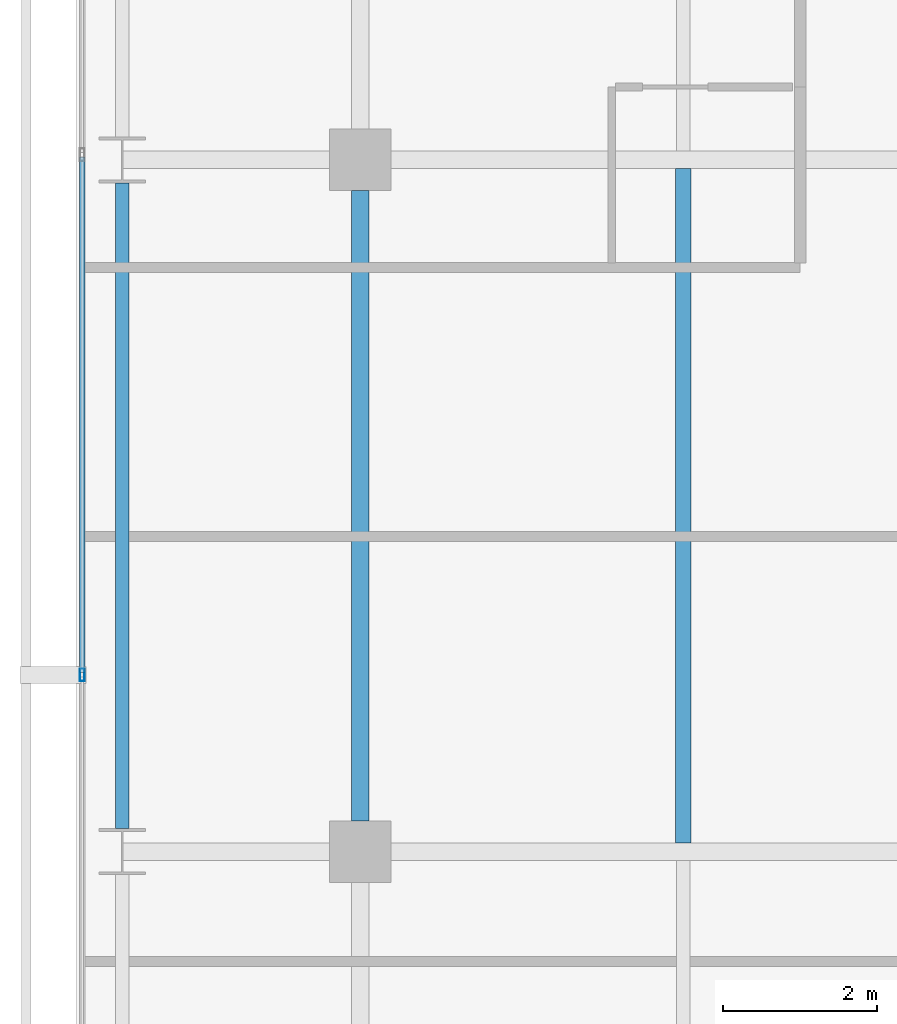
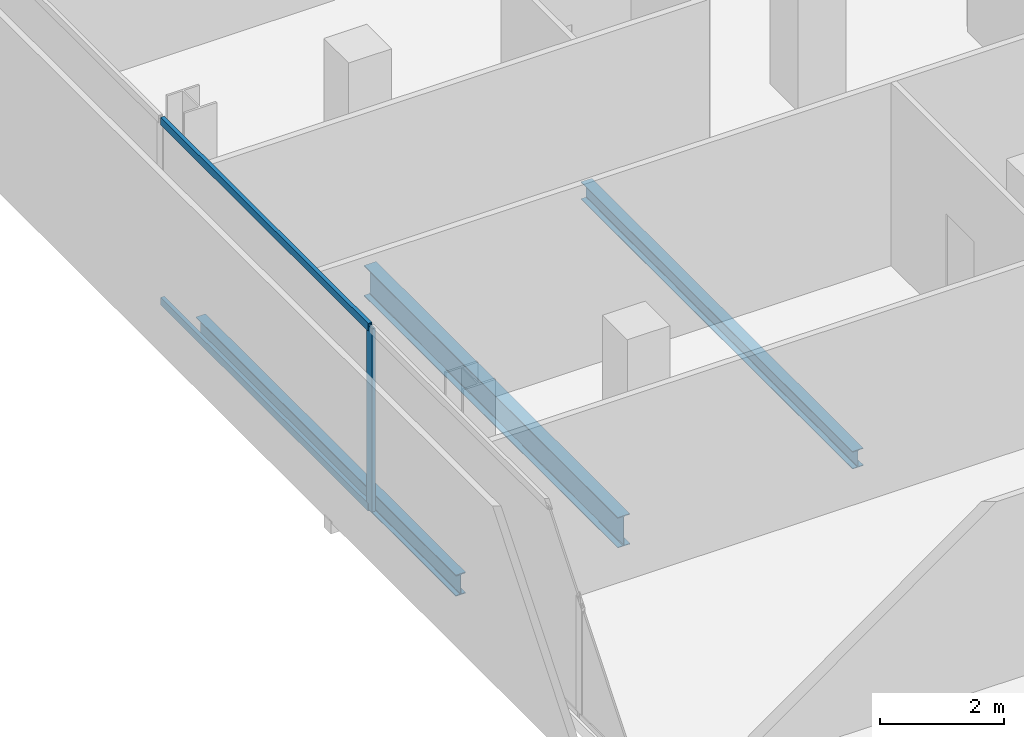
# One storey, part 10 of 33: 3 beams, 3 members, 1 element without a shape of its own.
"""IFC4 building model written with IfcOpenShell, lengths in metres."""

from ifc_helpers import new_model, si_unit, direction, frame, origin, origin_2d, place, context, subcontext, project, spatial, hollow_rectangle, i_section, extrude, material, layer, layer_set, material_profile, profile_set, type_object, element, aggregate, save


model = new_model("IFC4")

# Units and contexts
model_context = context("Model", 3, precision=1e-05, world=origin(), true_north=direction((0.0, 1.0)))
body_context = subcontext(model_context, "Body", "Model", "MODEL_VIEW")
ifc_project = project(units=[si_unit("LENGTHUNIT", "METRE"), si_unit("AREAUNIT", "SQUARE_METRE"), si_unit("VOLUMEUNIT", "CUBIC_METRE"), si_unit("PLANEANGLEUNIT", "RADIAN"), si_unit("MASSUNIT", "GRAM", prefix="KILO")], contexts=[model_context])

# Site, building, storey
site_placement = place(None, origin())
site = spatial("IfcSite", under=ifc_project, at=site_placement, CompositionType="ELEMENT")
building_placement = place(site_placement, origin())
building = spatial("IfcBuilding", under=site, at=building_placement, Name="Maruvema Waterfront Hotel and Observation Tower", CompositionType="ELEMENT")
storey_placement = place(building_placement, frame((0.0, 0.0, 158.199951171875)))
storey = spatial("IfcBuildingStorey", under=building, at=storey_placement, Name="L38", CompositionType="ELEMENT", Elevation=158.199951171875)

# Curtain wall, members
ifc_material_1 = material(Name="Anodised bronze aluminium and solar-control low-E IGU", Category="aluminium")
ifc_layer = layer(ifc_material_1, 0.159912109375, Name="Zone 2 Amber Inner Thermal Curtain Wall System CW-03")
ifc_layer_set = layer_set([ifc_layer], Name="Anodised bronze aluminium and solar-control low-E IGU")
curtain_wall_type = type_object("IfcCurtainWallType", Name="Zone 2 Amber Inner Thermal Curtain Wall System CW-03", PredefinedType="USERDEFINED", material=ifc_layer_set)
curtain_wall_placement = place(storey_placement, origin())
curtain_wall = element("IfcCurtainWall", 1, at=curtain_wall_placement, inside=storey, type_object=curtain_wall_type, Name="L38 Curtain Wall CW-L38-W", ObjectType="UNITISED CURTAIN WALL", PredefinedType="USERDEFINED")
ifc_material_2 = material(Name="Anodised architectural bronze aluminium", Category="aluminium")
ifc_material_profile_1 = material_profile(ifc_material_2, hollow_rectangle(XDim=0.070068359375, YDim=0.14990234375, WallThickness=0.00390625, at=origin_2d()), Name="ALU-T70x150")
ifc_profile_set_1 = profile_set([ifc_material_profile_1], Name="Anodised architectural bronze aluminium")
member_type_1 = type_object("IfcMemberType", Name="Curtain Wall Horizontal Transom ALU-T70x150", PredefinedType="USERDEFINED", material=ifc_profile_set_1)
member_1_placement = place(storey_placement, frame((13.179931640625, 36.03662109375, 0.030029296875), z_axis=(0.0, -1.0, 0.0), x_axis=(1.0, 0.0, 0.0)))
member_1 = element("IfcMember", 2, at=member_1_placement, type_object=member_type_1, Name="CW-03 transom 3.1", ObjectType="TRANSOM", PredefinedType="USERDEFINED", context=body_context, shape_type="SweptSolid", body=[
    extrude(hollow_rectangle(XDim=0.070068359375, YDim=0.14990234375, WallThickness=0.00390625, at=origin_2d()), origin(), (0.0, 0.0, 1.0), 6.70654296875),
])
member_2_placement = place(storey_placement, frame((13.179931640625, 36.03662109375, 3.580078125), z_axis=(0.0, -1.0, 0.0), x_axis=(1.0, 0.0, 0.0)))
member_2 = element("IfcMember", 3, at=member_2_placement, type_object=member_type_1, Name="CW-03 transom 3.2", ObjectType="TRANSOM", PredefinedType="USERDEFINED", context=body_context, shape_type="SweptSolid", body=[
    extrude(hollow_rectangle(XDim=0.070068359375, YDim=0.14990234375, WallThickness=0.00390625, at=origin_2d()), origin(), (0.0, 0.0, 1.0), 6.70654296875),
])
ifc_material_3 = material(Name="Anodised architectural bronze aluminium", Category="aluminium")
ifc_material_profile_2 = material_profile(ifc_material_3, hollow_rectangle(XDim=0.06494140625, YDim=0.1650390625, WallThickness=0.00390625, at=origin_2d()), Name="ALU-M65x165")
ifc_profile_set_2 = profile_set([ifc_material_profile_2], Name="Anodised architectural bronze aluminium")
member_type_2 = type_object("IfcMemberType", Name="Curtain Wall Primary Mullion ALU-M65x165", PredefinedType="MULLION", material=ifc_profile_set_2)
member_3_placement = place(storey_placement, frame((13.179931640625, 29.300048828125, 0.0), z_axis=(0.0, 0.0, 1.0), x_axis=(1.0, 0.0, 0.0)))
member_3 = element("IfcMember", 4, at=member_3_placement, type_object=member_type_2, Name="CW-03 mullion 4", PredefinedType="MULLION", context=body_context, shape_type="SweptSolid", body=[
    extrude(hollow_rectangle(XDim=0.06494140625, YDim=0.1650390625, WallThickness=0.00390625, at=origin_2d()), origin(), (0.0, 0.0, 1.0), 3.610107421875),
])
aggregate(curtain_wall, [member_3, member_1, member_2])

# Beams
ifc_material_4 = material(Name="Steel ASTM A572 Grade 50", Category="steel")
ifc_material_profile_3 = material_profile(ifc_material_4, i_section(OverallWidth=0.180908203125, OverallDepth=0.4169921875, WebThickness=0.010986328125, FlangeThickness=0.018310546875, FilletRadius=0.014892578125, at=origin_2d()), Name="W410x85.0")
ifc_profile_set_3 = profile_set([ifc_material_profile_3], Name="Steel ASTM A572 Grade 50")
beam_type_1 = type_object("IfcBeamType", Name="Perimeter Spandrel Beam W410x85.0", PredefinedType="SPANDREL", material=ifc_profile_set_3)
beam_1_placement = place(storey_placement, frame((13.699951171875, 27.300048828125, -0.448486328125), z_axis=(0.0, 1.0, 0.0), x_axis=(-1.0, 0.0, 0.0)))
element("IfcBeam", 5, at=beam_1_placement, inside=storey, type_object=beam_type_1, Name="L38 Floor Girder NS-03", PredefinedType="SPANDREL", context=body_context, shape_type="SweptSolid", body=[
    extrude(i_section(OverallWidth=0.180908203125, OverallDepth=0.4169921875, WebThickness=0.010986328125, FlangeThickness=0.018310546875, FilletRadius=0.014892578125, at=origin_2d()), origin(), (0.0, 0.0, 1.0), 8.39990234375),
])
ifc_material_5 = material(Name="Steel ASTM A572 Grade 50", Category="steel")
ifc_material_profile_4 = material_profile(ifc_material_5, i_section(OverallWidth=0.22802734375, OverallDepth=0.60302734375, WebThickness=0.010498046875, FlangeThickness=0.014892578125, FilletRadius=0.01806640625, at=origin_2d()), Name="W610x101.0")
ifc_profile_set_4 = profile_set([ifc_material_profile_4], Name="Steel ASTM A572 Grade 50")
beam_type_2 = type_object("IfcBeamType", Name="Primary Floor Girder W610x101.0", PredefinedType="BEAM", material=ifc_profile_set_4)
beam_2_placement = place(storey_placement, frame((16.800048828125, 27.39990234375, -0.54150390625), z_axis=(0.0, 1.0, 0.0), x_axis=(-1.0, 0.0, 0.0)))
element("IfcBeam", 6, at=beam_2_placement, inside=storey, type_object=beam_type_2, Name="L38 Floor Girder NS-07", PredefinedType="BEAM", context=body_context, shape_type="SweptSolid", body=[
    extrude(i_section(OverallWidth=0.22802734375, OverallDepth=0.60302734375, WebThickness=0.010498046875, FlangeThickness=0.014892578125, FilletRadius=0.01806640625, at=origin_2d()), origin(), (0.0, 0.0, 1.0), 8.2001953125),
])
ifc_material_6 = material(Name="Steel ASTM A572 Grade 50", Category="steel")
ifc_material_profile_5 = material_profile(ifc_material_6, i_section(OverallWidth=0.202880859375, OverallDepth=0.346923828125, WebThickness=0.0078125, FlangeThickness=0.013427734375, FilletRadius=0.014892578125, at=origin_2d()), Name="W360x64.0")
ifc_profile_set_5 = profile_set([ifc_material_profile_5], Name="Steel ASTM A572 Grade 50")
beam_type_3 = type_object("IfcBeamType", Name="Secondary Floor Joist W360x64.0", PredefinedType="JOIST", material=ifc_profile_set_5)
beam_3_placement = place(storey_placement, frame((21.0, 27.114013671875, -0.413330078125), z_axis=(0.0, 1.0, 0.0), x_axis=(-1.0, 0.0, 0.0)))
element("IfcBeam", 7, at=beam_3_placement, inside=storey, type_object=beam_type_3, Name="L38 Secondary Floor Joist JS-03", PredefinedType="JOIST", context=body_context, shape_type="SweptSolid", body=[
    extrude(i_section(OverallWidth=0.202880859375, OverallDepth=0.346923828125, WebThickness=0.0078125, FlangeThickness=0.013427734375, FilletRadius=0.014892578125, at=origin_2d()), origin(), (0.0, 0.0, 1.0), 8.77197265625),
])

save(model, "model.ifc")
